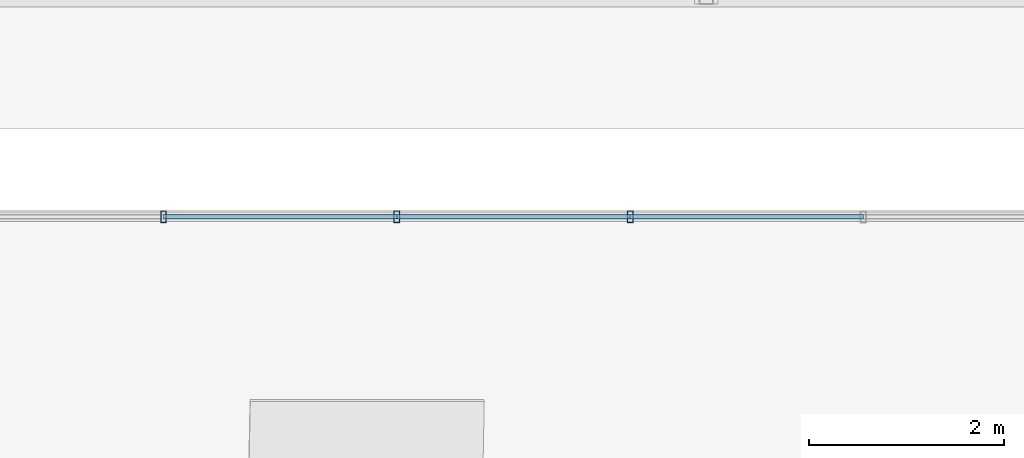
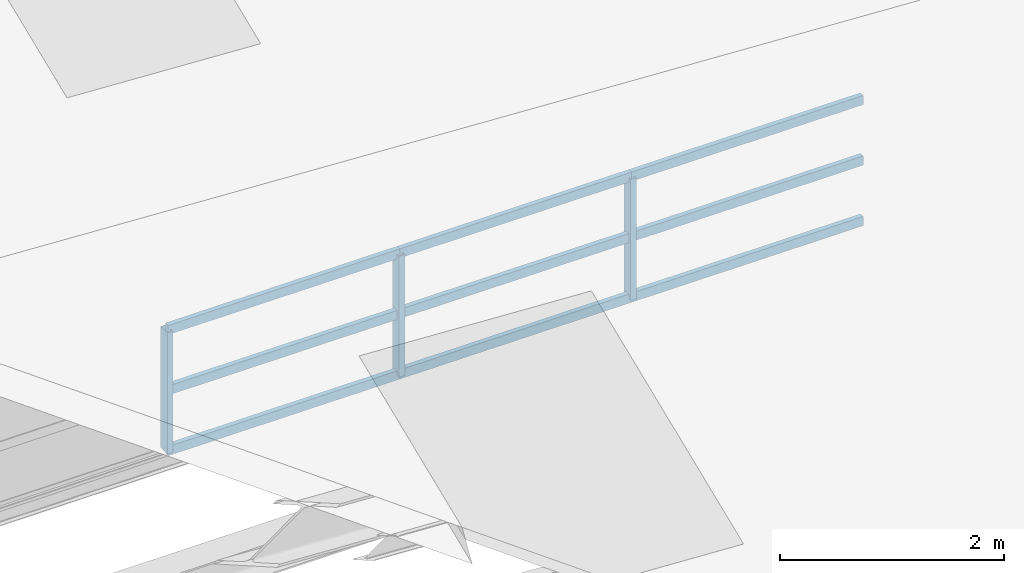
# One storey, part 60 of 141: 12 members, 1 element without a shape of its own.
"""IFC4 building model written with IfcOpenShell, lengths in metres."""

from ifc_helpers import new_model, si_unit, direction, frame, origin, origin_2d, place, context, subcontext, project, spatial, hollow_rectangle, extrude, material, material_profile, profile_set, type_object, element, aggregate, save


model = new_model("IFC4")

# Units and contexts
model_context = context("Model", 3, precision=1e-05, world=origin(), true_north=direction((0.0, 1.0)))
body_context = subcontext(model_context, "Body", "Model", "MODEL_VIEW")
ifc_project = project(units=[si_unit("LENGTHUNIT", "METRE"), si_unit("AREAUNIT", "SQUARE_METRE"), si_unit("VOLUMEUNIT", "CUBIC_METRE"), si_unit("PLANEANGLEUNIT", "RADIAN"), si_unit("MASSUNIT", "GRAM", prefix="KILO")], contexts=[model_context])

# Site, building, storey
site_placement = place(None, origin())
site = spatial("IfcSite", under=ifc_project, at=site_placement, CompositionType="ELEMENT")
building_placement = place(site_placement, origin())
building = spatial("IfcBuilding", under=site, at=building_placement, Name="Sundkrona Museum", CompositionType="ELEMENT")
storey_placement = place(building_placement, frame((0.0, 0.0, 34.0)))
storey = spatial("IfcBuildingStorey", under=building, at=storey_placement, Name="RF", CompositionType="ELEMENT", Elevation=34.0)

# Curtain wall, members
ifc_material_1 = material(Name="Unitised Aluminium-Steel and Ceramic-Clad Curtain Walling", Category="steel")
curtain_wall_type = type_object("IfcCurtainWallType", Name="CW-SW-240x13", PredefinedType="NOTDEFINED", material=ifc_material_1)
curtain_wall_placement = place(storey_placement, origin())
curtain_wall = element("IfcCurtainWall", 1, at=curtain_wall_placement, inside=storey, type_object=curtain_wall_type, Name="Sawtooth Bay 3 East North-Light Clerestory", PredefinedType="NOTDEFINED")
ifc_material_2 = material(Name="Aluminium EN AW-6060 T66", Category="aluminium")
ifc_material_profile_1 = material_profile(ifc_material_2, hollow_rectangle(XDim=0.06005859375, YDim=0.1201171875, WallThickness=0.0048828125, at=origin_2d()), Name="RHS 120x60x5.0")
ifc_profile_set_1 = profile_set([ifc_material_profile_1], Name="Aluminium EN AW-6060 T66")
member_type_1 = type_object("IfcMemberType", Name="ML-120", PredefinedType="MULLION", material=ifc_profile_set_1)
member_1_placement = place(storey_placement, frame((146.43994140625, 18.39990234375, 3.052978515625), z_axis=(0.0, 0.0, 1.0), x_axis=(1.0, 0.0, 0.0)))
member_1 = element("IfcMember", 2, at=member_1_placement, type_object=member_type_1, Name="CW-RF-SAW-03E Mullion 02", PredefinedType="MULLION", context=body_context, shape_type="SweptSolid", body=[
    extrude(hollow_rectangle(XDim=0.06005859375, YDim=0.1201171875, WallThickness=0.0048828125, at=origin_2d()), origin(), (0.0, 0.0, 1.0), 1.320068359375),
])
member_2_placement = place(storey_placement, frame((148.830078125, 18.39990234375, 3.052978515625), z_axis=(0.0, 0.0, 1.0), x_axis=(1.0, 0.0, 0.0)))
member_2 = element("IfcMember", 3, at=member_2_placement, type_object=member_type_1, Name="CW-RF-SAW-03E Mullion 03", PredefinedType="MULLION", context=body_context, shape_type="SweptSolid", body=[
    extrude(hollow_rectangle(XDim=0.06005859375, YDim=0.1201171875, WallThickness=0.0048828125, at=origin_2d()), origin(), (0.0, 0.0, 1.0), 1.320068359375),
])
member_3_placement = place(storey_placement, frame((151.219970703125, 18.39990234375, 3.052978515625), z_axis=(0.0, 0.0, 1.0), x_axis=(1.0, 0.0, 0.0)))
member_3 = element("IfcMember", 4, at=member_3_placement, type_object=member_type_1, Name="CW-RF-SAW-03E Mullion 04", PredefinedType="MULLION", context=body_context, shape_type="SweptSolid", body=[
    extrude(hollow_rectangle(XDim=0.06005859375, YDim=0.1201171875, WallThickness=0.0048828125, at=origin_2d()), origin(), (0.0, 0.0, 1.0), 1.320068359375),
])
ifc_material_profile_2 = material_profile(ifc_material_2, hollow_rectangle(XDim=0.050048828125, YDim=0.10009765625, WallThickness=0.0048828125, at=origin_2d()), Name="RHS 100x50x5.0")
ifc_profile_set_2 = profile_set([ifc_material_profile_2], Name="Aluminium EN AW-6060 T66")
member_type_2 = type_object("IfcMemberType", Name="TR-100", PredefinedType="USERDEFINED", material=ifc_profile_set_2)
member_4_placement = place(storey_placement, frame((146.43994140625, 18.39990234375, 3.052978515625), z_axis=(1.0, 0.0, 0.0), x_axis=(0.0, 1.0, 0.0)))
member_4 = element("IfcMember", 5, at=member_4_placement, type_object=member_type_2, Name="CW-RF-SAW-03E Transom 04", ObjectType="TRANSOM", PredefinedType="USERDEFINED", context=body_context, shape_type="SweptSolid", body=[
    extrude(hollow_rectangle(XDim=0.050048828125, YDim=0.10009765625, WallThickness=0.0048828125, at=origin_2d()), origin(), (0.0, 0.0, 1.0), 2.39013671875),
])
member_5_placement = place(storey_placement, frame((146.43994140625, 18.39990234375, 3.712890625), z_axis=(1.0, 0.0, 0.0), x_axis=(0.0, 1.0, 0.0)))
member_5 = element("IfcMember", 6, at=member_5_placement, type_object=member_type_2, Name="CW-RF-SAW-03E Transom 05", ObjectType="TRANSOM", PredefinedType="USERDEFINED", context=body_context, shape_type="SweptSolid", body=[
    extrude(hollow_rectangle(XDim=0.050048828125, YDim=0.10009765625, WallThickness=0.0048828125, at=origin_2d()), origin(), (0.0, 0.0, 1.0), 2.39013671875),
])
member_6_placement = place(storey_placement, frame((146.43994140625, 18.39990234375, 4.373046875), z_axis=(1.0, 0.0, 0.0), x_axis=(0.0, 1.0, 0.0)))
member_6 = element("IfcMember", 7, at=member_6_placement, type_object=member_type_2, Name="CW-RF-SAW-03E Transom 06", ObjectType="TRANSOM", PredefinedType="USERDEFINED", context=body_context, shape_type="SweptSolid", body=[
    extrude(hollow_rectangle(XDim=0.050048828125, YDim=0.10009765625, WallThickness=0.0048828125, at=origin_2d()), origin(), (0.0, 0.0, 1.0), 2.39013671875),
])
member_7_placement = place(storey_placement, frame((148.830078125, 18.39990234375, 3.052978515625), z_axis=(1.0, 0.0, 0.0), x_axis=(0.0, 1.0, 0.0)))
member_7 = element("IfcMember", 8, at=member_7_placement, type_object=member_type_2, Name="CW-RF-SAW-03E Transom 07", ObjectType="TRANSOM", PredefinedType="USERDEFINED", context=body_context, shape_type="SweptSolid", body=[
    extrude(hollow_rectangle(XDim=0.050048828125, YDim=0.10009765625, WallThickness=0.0048828125, at=origin_2d()), origin(), (0.0, 0.0, 1.0), 2.389892578125),
])
member_8_placement = place(storey_placement, frame((148.830078125, 18.39990234375, 3.712890625), z_axis=(1.0, 0.0, 0.0), x_axis=(0.0, 1.0, 0.0)))
member_8 = element("IfcMember", 9, at=member_8_placement, type_object=member_type_2, Name="CW-RF-SAW-03E Transom 08", ObjectType="TRANSOM", PredefinedType="USERDEFINED", context=body_context, shape_type="SweptSolid", body=[
    extrude(hollow_rectangle(XDim=0.050048828125, YDim=0.10009765625, WallThickness=0.0048828125, at=origin_2d()), origin(), (0.0, 0.0, 1.0), 2.389892578125),
])
member_9_placement = place(storey_placement, frame((148.830078125, 18.39990234375, 4.373046875), z_axis=(1.0, 0.0, 0.0), x_axis=(0.0, 1.0, 0.0)))
member_9 = element("IfcMember", 10, at=member_9_placement, type_object=member_type_2, Name="CW-RF-SAW-03E Transom 09", ObjectType="TRANSOM", PredefinedType="USERDEFINED", context=body_context, shape_type="SweptSolid", body=[
    extrude(hollow_rectangle(XDim=0.050048828125, YDim=0.10009765625, WallThickness=0.0048828125, at=origin_2d()), origin(), (0.0, 0.0, 1.0), 2.389892578125),
])
member_10_placement = place(storey_placement, frame((151.219970703125, 18.39990234375, 3.052978515625), z_axis=(1.0, 0.0, 0.0), x_axis=(0.0, 1.0, 0.0)))
member_10 = element("IfcMember", 11, at=member_10_placement, type_object=member_type_2, Name="CW-RF-SAW-03E Transom 10", ObjectType="TRANSOM", PredefinedType="USERDEFINED", context=body_context, shape_type="SweptSolid", body=[
    extrude(hollow_rectangle(XDim=0.050048828125, YDim=0.10009765625, WallThickness=0.0048828125, at=origin_2d()), origin(), (0.0, 0.0, 1.0), 2.39013671875),
])
member_11_placement = place(storey_placement, frame((151.219970703125, 18.39990234375, 3.712890625), z_axis=(1.0, 0.0, 0.0), x_axis=(0.0, 1.0, 0.0)))
member_11 = element("IfcMember", 12, at=member_11_placement, type_object=member_type_2, Name="CW-RF-SAW-03E Transom 11", ObjectType="TRANSOM", PredefinedType="USERDEFINED", context=body_context, shape_type="SweptSolid", body=[
    extrude(hollow_rectangle(XDim=0.050048828125, YDim=0.10009765625, WallThickness=0.0048828125, at=origin_2d()), origin(), (0.0, 0.0, 1.0), 2.39013671875),
])
member_12_placement = place(storey_placement, frame((151.219970703125, 18.39990234375, 4.373046875), z_axis=(1.0, 0.0, 0.0), x_axis=(0.0, 1.0, 0.0)))
member_12 = element("IfcMember", 13, at=member_12_placement, type_object=member_type_2, Name="CW-RF-SAW-03E Transom 12", ObjectType="TRANSOM", PredefinedType="USERDEFINED", context=body_context, shape_type="SweptSolid", body=[
    extrude(hollow_rectangle(XDim=0.050048828125, YDim=0.10009765625, WallThickness=0.0048828125, at=origin_2d()), origin(), (0.0, 0.0, 1.0), 2.39013671875),
])
aggregate(curtain_wall, [member_1, member_2, member_3, member_4, member_5, member_6, member_7, member_8, member_9, member_10, member_11, member_12])

save(model, "model.ifc")
